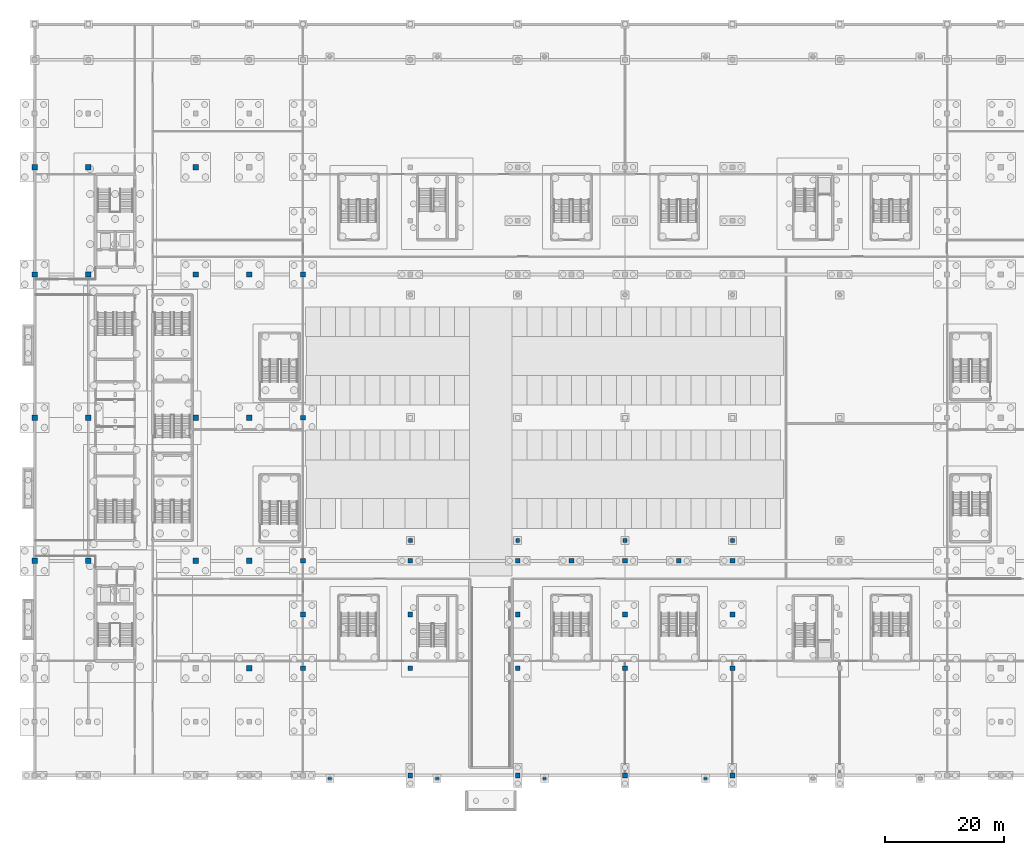
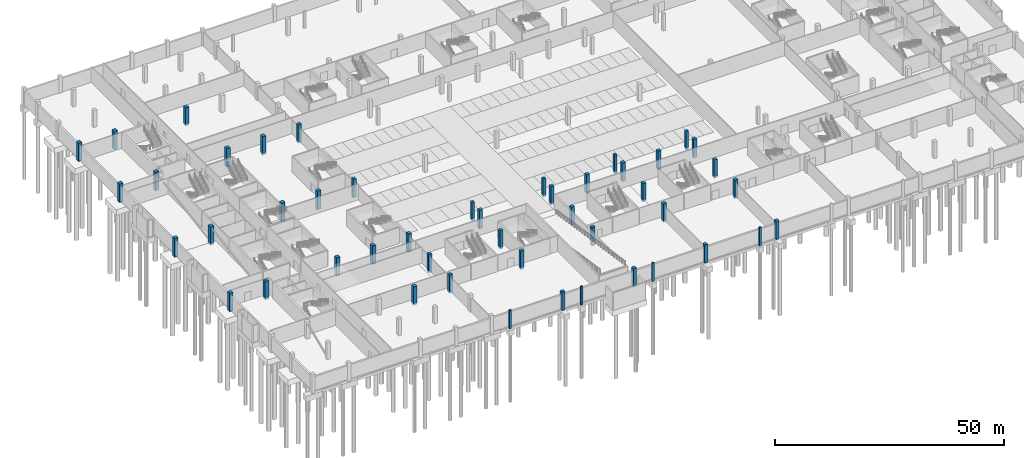
# One storey, part 9 of 46: 47 columns.
"""IFC4 building model written with IfcOpenShell, lengths in metres."""

from ifc_helpers import new_model, si_unit, direction, frame, origin, origin_2d, place, context, subcontext, project, spatial, rectangle, extrude, material, material_profile, profile_set, type_object, element, save


model = new_model("IFC4")

# Units and contexts
model_context = context("Model", 3, precision=1e-05, world=origin(), true_north=direction((0.0, 1.0)))
body_context = subcontext(model_context, "Body", "Model", "MODEL_VIEW")
ifc_project = project(units=[si_unit("LENGTHUNIT", "METRE"), si_unit("AREAUNIT", "SQUARE_METRE"), si_unit("VOLUMEUNIT", "CUBIC_METRE"), si_unit("PLANEANGLEUNIT", "RADIAN"), si_unit("MASSUNIT", "GRAM", prefix="KILO")], contexts=[model_context])

# Site, building, storey
site_placement = place(None, origin())
site = spatial("IfcSite", under=ifc_project, at=site_placement, CompositionType="ELEMENT")
building_placement = place(site_placement, origin())
building = spatial("IfcBuilding", under=site, at=building_placement, Name="Kisiwana Market Hall", CompositionType="ELEMENT")
storey_placement = place(building_placement, frame((0.0, 0.0, -4.5)))
storey = spatial("IfcBuildingStorey", under=building, at=storey_placement, Name="B1", CompositionType="ELEMENT", Elevation=-4.5)

# Columns
ifc_material_1 = material(Name="Concrete C40/50", Category="concrete")
ifc_material_profile_1 = material_profile(ifc_material_1, rectangle(XDim=0.800048828125, YDim=0.800048828125, at=origin_2d()), Name="RC 800x800")
ifc_profile_set_1 = profile_set([ifc_material_profile_1], Name="Concrete C40/50")
column_type_1 = type_object("IfcColumnType", Name="COL-RC-B1-800", PredefinedType="COLUMN", material=ifc_profile_set_1)
for number, where, z_axis, x_axis, name in (
    (1, (45.0, 18.0, -0.449951171875), (0.0, 0.0, 1.0), (1.0, 0.0, 0.0), "Column C/6 (B1) C-0041"),
    (2, (45.0, 27.0, -0.449951171875), (0.0, 0.0, 1.0), (1.0, 0.0, 0.0), "Column D/6 (B1) C-0042"),
    (3, (45.0, 36.0, -0.449951171875), (0.0, 0.0, 1.0), (1.0, 0.0, 0.0), "Column E/6 (B1) C-0043"),
    (4, (45.0, 60.0, -0.449951171875), (0.0, 0.0, 1.0), (1.0, 0.0, 0.0), "Column H/6 (B1) C-0044"),
    (5, (45.0, 84.0, -0.449951171875), (0.0, 0.0, 1.0), (1.0, 0.0, 0.0), "Column L/6 (B1) C-0045"),
    (6, (63.0, 0.0, -0.449951171875), (0.0, 0.0, 1.0), (1.0, 0.0, 0.0), "Column A/8 (B1) C-0051"),
    (7, (63.0, 18.0, -0.449951171875), (0.0, 0.0, 1.0), (1.0, 0.0, 0.0), "Column C/8 (B1) C-0052"),
    (8, (63.0, 27.0, -0.449951171875), (0.0, 0.0, 1.0), (1.0, 0.0, 0.0), "Column D/8 (B1) C-0053"),
    (9, (63.0, 36.0, -0.449951171875), (0.0, 0.0, 1.0), (1.0, 0.0, 0.0), "Column E/8 (B1) C-0054"),
    (10, (81.0, 0.0, -0.449951171875), (0.0, 0.0, 1.0), (1.0, 0.0, 0.0), "Column A/10 (B1) C-0061"),
    (11, (81.0, 18.0, -0.449951171875), (0.0, 0.0, 1.0), (1.0, 0.0, 0.0), "Column C/10 (B1) C-0062"),
    (12, (81.0, 27.0, -0.449951171875), (0.0, 0.0, 1.0), (1.0, 0.0, 0.0), "Column D/10 (B1) C-0063"),
    (13, (81.0, 36.0, -0.449951171875), (0.0, 0.0, 1.0), (1.0, 0.0, 0.0), "Column E/10 (B1) C-0064"),
    (14, (90.0, 36.0, -0.449951171875), (0.0, 0.0, 1.0), (1.0, 0.0, 0.0), "Column E/11 (B1) C-0071"),
    (15, (99.0, 0.0, -0.449951171875), (0.0, 0.0, 1.0), (1.0, 0.0, 0.0), "Column A/12 (B1) C-0073"),
    (16, (99.0, 18.0, -0.449951171875), (0.0, 0.0, 1.0), (1.0, 0.0, 0.0), "Column C/12 (B1) C-0074"),
    (17, (99.0, 27.0, -0.449951171875), (0.0, 0.0, 1.0), (1.0, 0.0, 0.0), "Column D/12 (B1) C-0075"),
    (18, (99.0, 36.0, -0.449951171875), (0.0, 0.0, 1.0), (1.0, 0.0, 0.0), "Column E/12 (B1) C-0076"),
    (19, (108.0, 36.0, -0.449951171875), (0.0, 0.0, 1.0), (1.0, 0.0, 0.0), "Column E/13 (B1) C-0083"),
    (20, (117.0, 0.0, -0.449951171875), (0.0, 0.0, 1.0), (1.0, 0.0, 0.0), "Column A/14 (B1) C-0085"),
    (21, (117.0, 18.0, -0.449951171875), (0.0, 0.0, 1.0), (1.0, 0.0, 0.0), "Column C/14 (B1) C-0086"),
    (22, (117.0, 27.0, -0.449951171875), (0.0, 0.0, 1.0), (1.0, 0.0, 0.0), "Column D/14 (B1) C-0087"),
    (23, (117.0, 36.0, -0.449951171875), (0.0, 0.0, 1.0), (1.0, 0.0, 0.0), "Column E/14 (B1) C-0088"),
):
    element("IfcColumn", number, at=place(storey_placement, frame(where, z_axis=z_axis, x_axis=x_axis)), inside=storey, type_object=column_type_1, Name=name, PredefinedType="COLUMN", context=body_context, shape_type="SweptSolid", body=[
        extrude(rectangle(XDim=0.800048828125, YDim=0.800048828125, at=origin_2d()), origin(), (0.0, 0.0, 1.0), 4.949951171875),
    ])
ifc_material_2 = material(Name="Concrete C40/50", Category="concrete")
ifc_material_profile_2 = material_profile(ifc_material_2, rectangle(XDim=0.89990234375, YDim=0.89990234375, at=origin_2d()), Name="RC 900x900")
ifc_profile_set_2 = profile_set([ifc_material_profile_2], Name="Concrete C40/50")
column_type_2 = type_object("IfcColumnType", Name="COL-RC-B1-900", PredefinedType="COLUMN", material=ifc_profile_set_2)
for number, where, z_axis, x_axis, name in (
    (24, (0.0, 36.0, -0.449951171875), (0.0, 0.0, 1.0), (1.0, 0.0, 0.0), "Column E/1 (B1) C-0004"),
    (25, (0.0, 60.0, -0.449951171875), (0.0, 0.0, 1.0), (1.0, 0.0, 0.0), "Column H/1 (B1) C-0005"),
    (26, (0.0, 84.0, -0.449951171875), (0.0, 0.0, 1.0), (1.0, 0.0, 0.0), "Column L/1 (B1) C-0006"),
    (27, (0.0, 102.0, -0.449951171875), (0.0, 0.0, 1.0), (1.0, 0.0, 0.0), "Column N/1 (B1) C-0007"),
    (28, (9.0, 36.0, -0.449951171875), (0.0, 0.0, 1.0), (1.0, 0.0, 0.0), "Column E/2 (B1) C-0014"),
    (29, (9.0, 84.0, -0.449951171875), (0.0, 0.0, 1.0), (1.0, 0.0, 0.0), "Column L/2 (B1) C-0015"),
    (30, (9.0, 102.0, -0.449951171875), (0.0, 0.0, 1.0), (1.0, 0.0, 0.0), "Column N/2 (B1) C-0016"),
    (31, (27.0, 36.0, -0.449951171875), (0.0, 0.0, 1.0), (1.0, 0.0, 0.0), "Column E/4 (B1) C-0023"),
    (32, (27.0, 60.0, -0.449951171875), (0.0, 0.0, 1.0), (1.0, 0.0, 0.0), "Column H/4 (B1) C-0024"),
    (33, (27.0, 84.0, -0.449951171875), (0.0, 0.0, 1.0), (1.0, 0.0, 0.0), "Column L/4 (B1) C-0025"),
    (34, (27.0, 102.0, -0.449951171875), (0.0, 0.0, 1.0), (1.0, 0.0, 0.0), "Column N/4 (B1) C-0026"),
    (35, (36.0, 18.0, -0.449951171875), (0.0, 0.0, 1.0), (1.0, 0.0, 0.0), "Column C/5 (B1) C-0032"),
    (36, (36.0, 36.0, -0.449951171875), (0.0, 0.0, 1.0), (1.0, 0.0, 0.0), "Column E/5 (B1) C-0033"),
    (37, (36.0, 84.0, -0.449951171875), (0.0, 0.0, 1.0), (1.0, 0.0, 0.0), "Column L/5 (B1) C-0034"),
    (38, (9.0, 60.0, -0.449951171875), (0.0, 0.0, 1.0), (1.0, 0.0, 0.0), "Column H/2 (B1) C-0165"),
    (39, (36.0, 60.0, -0.449951171875), (0.0, 0.0, 1.0), (1.0, 0.0, 0.0), "Column H/5 (B1) C-0166"),
):
    element("IfcColumn", number, at=place(storey_placement, frame(where, z_axis=z_axis, x_axis=x_axis)), inside=storey, type_object=column_type_2, Name=name, PredefinedType="COLUMN", context=body_context, shape_type="SweptSolid", body=[
        extrude(rectangle(XDim=0.89990234375, YDim=0.89990234375, at=origin_2d()), origin(), (0.0, 0.0, 1.0), 4.949951171875),
    ])
ifc_material_3 = material(Name="Concrete C40/50", Category="concrete")
ifc_material_profile_3 = material_profile(ifc_material_3, rectangle(XDim=0.64990234375, YDim=0.64990234375, at=origin_2d()), Name="RC 650x650")
ifc_profile_set_3 = profile_set([ifc_material_profile_3], Name="Concrete C40/50")
column_type_3 = type_object("IfcColumnType", Name="COL-RC-POD-650", PredefinedType="COLUMN", material=ifc_profile_set_3)
for number, where, z_axis, x_axis, name in (
    (40, (63.0, 39.39990234375, -0.449951171875), (0.0, 0.0, 1.0), (1.0, 0.0, 0.0), "Column E/8 (B1) C-0155"),
    (41, (81.0, 39.39990234375, -0.449951171875), (0.0, 0.0, 1.0), (1.0, 0.0, 0.0), "Column E/10 (B1) C-0157"),
    (42, (99.0, 39.39990234375, -0.449951171875), (0.0, 0.0, 1.0), (1.0, 0.0, 0.0), "Column E/12 (B1) C-0159"),
    (43, (117.0, 39.39990234375, -0.449951171875), (0.0, 0.0, 1.0), (1.0, 0.0, 0.0), "Column E/14 (B1) C-0161"),
):
    element("IfcColumn", number, at=place(storey_placement, frame(where, z_axis=z_axis, x_axis=x_axis)), inside=storey, type_object=column_type_3, Name=name, PredefinedType="COLUMN", context=body_context, shape_type="SweptSolid", body=[
        extrude(rectangle(XDim=0.64990234375, YDim=0.64990234375, at=origin_2d()), origin(), (0.0, 0.0, 1.0), 4.949951171875),
    ])
ifc_material_4 = material(Name="Concrete C40/50", Category="concrete")
ifc_material_profile_4 = material_profile(ifc_material_4, rectangle(XDim=0.550048828125, YDim=0.35009765625, at=origin_2d()), Name="PIL 550x350")
ifc_profile_set_4 = profile_set([ifc_material_profile_4], Name="Concrete C40/50")
column_type_4 = type_object("IfcColumnType", Name="PIL-CONC-550", PredefinedType="PILASTER", material=ifc_profile_set_4)
for number, where, z_axis, x_axis, name in (
    (44, (49.5, -0.5, -0.449951171875), (0.0, 0.0, 1.0), (1.0, 0.0, 0.0), "Facade pilaster A/6 (B1) C-0169"),
    (45, (67.5, -0.5, -0.449951171875), (0.0, 0.0, 1.0), (1.0, 0.0, 0.0), "Facade pilaster A/8 (B1) C-0170"),
    (46, (85.5, -0.5, -0.449951171875), (0.0, 0.0, 1.0), (1.0, 0.0, 0.0), "Facade pilaster A/10 (B1) C-0171"),
    (47, (112.5, -0.5, -0.449951171875), (0.0, 0.0, 1.0), (1.0, 0.0, 0.0), "Facade pilaster A/13 (B1) C-0172"),
):
    element("IfcColumn", number, at=place(storey_placement, frame(where, z_axis=z_axis, x_axis=x_axis)), inside=storey, type_object=column_type_4, Name=name, PredefinedType="PILASTER", context=body_context, shape_type="SweptSolid", body=[
        extrude(rectangle(XDim=0.550048828125, YDim=0.35009765625, at=origin_2d()), origin(), (0.0, 0.0, 1.0), 4.949951171875),
    ])

save(model, "model.ifc")
